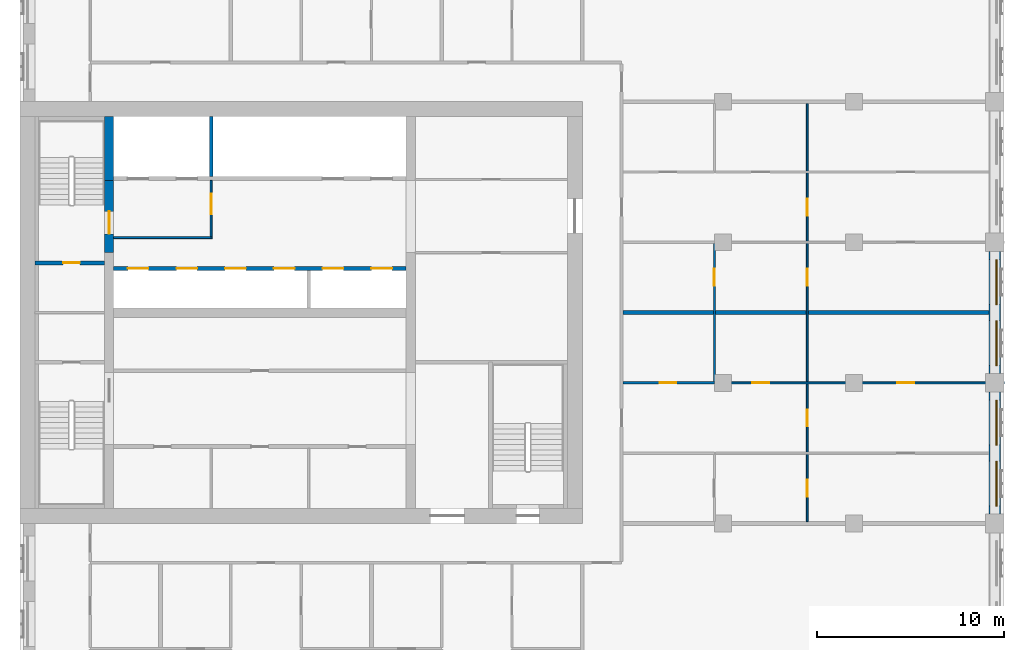
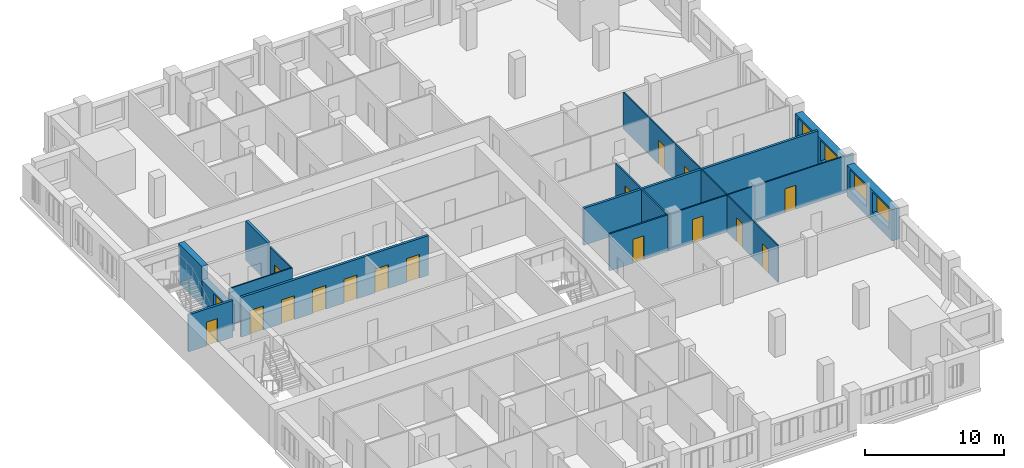
# One storey, part 9 of 14: 17 doors, 14 walls, 4 windows, 21 openings.
"""IFC4 building model written with IfcOpenShell, lengths in metres."""

from ifc_helpers import new_model, si_unit, direction, frame, frame_2d, origin, place, context, subcontext, project, spatial, rectangle, extrude, material, layer, layer_set, type_object, element, fill, save


model = new_model("IFC4")

# Units and contexts
model_context = context("Model", 3, precision=1e-05, world=origin(), true_north=direction((0.0, 1.0)))
body_context = subcontext(model_context, "Body", "Model", "MODEL_VIEW")
ifc_project = project(units=[si_unit("LENGTHUNIT", "METRE"), si_unit("AREAUNIT", "SQUARE_METRE"), si_unit("VOLUMEUNIT", "CUBIC_METRE"), si_unit("PLANEANGLEUNIT", "RADIAN"), si_unit("MASSUNIT", "GRAM", prefix="KILO")], contexts=[model_context])

# Site, building, storey
site_placement = place(None, origin())
site = spatial("IfcSite", under=ifc_project, at=site_placement, CompositionType="ELEMENT")
building_placement = place(site_placement, origin())
building = spatial("IfcBuilding", under=site, at=building_placement, Name="Tamorin Gate", CompositionType="ELEMENT")
storey_placement = place(building_placement, frame((0.0, 0.0, 179.199951171875)))
storey = spatial("IfcBuildingStorey", under=building, at=storey_placement, Name="L43", CompositionType="ELEMENT", Elevation=179.199951171875)

# Wall, openings, windows
ifc_material_1 = material(Name="Precast concrete C40/50", Category="concrete")
ifc_layer_1 = layer(ifc_material_1, 0.60009765625)
ifc_layer_set_1 = layer_set([ifc_layer_1], Name="Precast concrete C40/50")
wall_type_1 = type_object("IfcWallType", Name="Board-marked concrete facade panel 600", PredefinedType="SOLIDWALL", material=ifc_layer_set_1)
wall_1_placement = place(storey_placement, frame((82.0, 60.5, 0.0), z_axis=(0.0, 0.0, 1.0), x_axis=(0.0, 1.0, 0.0)))
wall_1 = element("IfcWall", 1, at=wall_1_placement, inside=storey, type_object=wall_type_1, Name="Facade panel", PredefinedType="SOLIDWALL", context=body_context, shape_type="SweptSolid", body=[
    extrude(rectangle(XDim=6.5, YDim=0.60009765625, at=frame_2d((3.25, 0.0))), origin(), (0.0, 0.0, 1.0), 2.75),
])
opening_1_placement = place(wall_1_placement, frame((0.425048828125, 0.0, 0.800048828125)))
opening_1 = element("IfcOpeningElement", 2, at=opening_1_placement, cuts=wall_1, Name="Opening WN1", PredefinedType="OPENING", context=body_context, shape_type="SweptSolid", body=[
    extrude(rectangle(XDim=2.39990234375, YDim=1.800048828125, at=frame_2d((1.199951171875, 0.89990234375))), frame((0.0, 0.31005859375, 0.0), z_axis=(0.0, -1.0, 0.0), x_axis=(1.0, 0.0, 0.0)), (0.0, 0.0, 1.0), 0.6201171875),
])
opening_2_placement = place(wall_1_placement, frame((3.675048828125, 0.0, 0.800048828125)))
opening_2 = element("IfcOpeningElement", 3, at=opening_2_placement, cuts=wall_1, Name="Opening WN1", PredefinedType="OPENING", context=body_context, shape_type="SweptSolid", body=[
    extrude(rectangle(XDim=2.39990234375, YDim=1.800048828125, at=frame_2d((1.199951171875, 0.89990234375))), frame((0.0, 0.31005859375, 0.0), z_axis=(0.0, -1.0, 0.0), x_axis=(1.0, 0.0, 0.0)), (0.0, 0.0, 1.0), 0.6201171875),
])
ifc_material_2 = material(Name="Clear glass in aluminium frame", Category="aluminium")
window_type = type_object("IfcWindowType", Name="Deep-set window 2400x1800", PartitioningType="SINGLE_PANEL", PredefinedType="WINDOW", material=ifc_material_2)
window_1_placement = place(opening_1_placement, origin())
window_1 = element("IfcWindow", 4, at=window_1_placement, inside=storey, type_object=window_type, Name="Deep-set window", OverallHeight=1.800048828125, OverallWidth=2.39990234375, PartitioningType="SINGLE_PANEL", PredefinedType="WINDOW", context=body_context, shape_type="SweptSolid", body=[
    extrude(rectangle(XDim=2.39990234375, YDim=1.800048828125, at=frame_2d((1.199951171875, 0.89990234375))), frame((0.0, -0.070068359375, 0.0), z_axis=(0.0, -1.0, 0.0), x_axis=(1.0, 0.0, 0.0)), (0.0, 0.0, 1.0), 0.06005859375),
])
fill(opening_1, window_1)
window_2_placement = place(opening_2_placement, origin())
window_2 = element("IfcWindow", 5, at=window_2_placement, inside=storey, type_object=window_type, Name="Deep-set window", OverallHeight=1.800048828125, OverallWidth=2.39990234375, PartitioningType="SINGLE_PANEL", PredefinedType="WINDOW", context=body_context, shape_type="SweptSolid", body=[
    extrude(rectangle(XDim=2.39990234375, YDim=1.800048828125, at=frame_2d((1.199951171875, 0.89990234375))), frame((0.0, -0.070068359375, 0.0), z_axis=(0.0, -1.0, 0.0), x_axis=(1.0, 0.0, 0.0)), (0.0, 0.0, 1.0), 0.06005859375),
])
fill(opening_2, window_2)

wall_2_placement = place(storey_placement, frame((82.0, 68.0, 0.0), z_axis=(0.0, 0.0, 1.0), x_axis=(0.0, 1.0, 0.0)))
wall_2 = element("IfcWall", 6, at=wall_2_placement, inside=storey, type_object=wall_type_1, Name="Facade panel", PredefinedType="SOLIDWALL", context=body_context, shape_type="SweptSolid", body=[
    extrude(rectangle(XDim=6.5, YDim=0.60009765625, at=frame_2d((3.25, 0.0))), origin(), (0.0, 0.0, 1.0), 2.75),
])
opening_3_placement = place(wall_2_placement, frame((0.425048828125, 0.0, 0.800048828125)))
opening_3 = element("IfcOpeningElement", 7, at=opening_3_placement, cuts=wall_2, Name="Opening WN1", PredefinedType="OPENING", context=body_context, shape_type="SweptSolid", body=[
    extrude(rectangle(XDim=2.39990234375, YDim=1.800048828125, at=frame_2d((1.199951171875, 0.89990234375))), frame((0.0, 0.31005859375, 0.0), z_axis=(0.0, -1.0, 0.0), x_axis=(1.0, 0.0, 0.0)), (0.0, 0.0, 1.0), 0.6201171875),
])
opening_4_placement = place(wall_2_placement, frame((3.675048828125, 0.0, 0.800048828125)))
opening_4 = element("IfcOpeningElement", 8, at=opening_4_placement, cuts=wall_2, Name="Opening WN1", PredefinedType="OPENING", context=body_context, shape_type="SweptSolid", body=[
    extrude(rectangle(XDim=2.39990234375, YDim=1.800048828125, at=frame_2d((1.199951171875, 0.89990234375))), frame((0.0, 0.31005859375, 0.0), z_axis=(0.0, -1.0, 0.0), x_axis=(1.0, 0.0, 0.0)), (0.0, 0.0, 1.0), 0.6201171875),
])
window_3_placement = place(opening_3_placement, origin())
window_3 = element("IfcWindow", 9, at=window_3_placement, inside=storey, type_object=window_type, Name="Deep-set window", OverallHeight=1.800048828125, OverallWidth=2.39990234375, PartitioningType="SINGLE_PANEL", PredefinedType="WINDOW", context=body_context, shape_type="SweptSolid", body=[
    extrude(rectangle(XDim=2.39990234375, YDim=1.800048828125, at=frame_2d((1.199951171875, 0.89990234375))), frame((0.0, -0.070068359375, 0.0), z_axis=(0.0, -1.0, 0.0), x_axis=(1.0, 0.0, 0.0)), (0.0, 0.0, 1.0), 0.06005859375),
])
fill(opening_3, window_3)
window_4_placement = place(opening_4_placement, origin())
window_4 = element("IfcWindow", 10, at=window_4_placement, inside=storey, type_object=window_type, Name="Deep-set window", OverallHeight=1.800048828125, OverallWidth=2.39990234375, PartitioningType="SINGLE_PANEL", PredefinedType="WINDOW", context=body_context, shape_type="SweptSolid", body=[
    extrude(rectangle(XDim=2.39990234375, YDim=1.800048828125, at=frame_2d((1.199951171875, 0.89990234375))), frame((0.0, -0.070068359375, 0.0), z_axis=(0.0, -1.0, 0.0), x_axis=(1.0, 0.0, 0.0)), (0.0, 0.0, 1.0), 0.06005859375),
])
fill(opening_4, window_4)

# Wall
ifc_material_3 = material(Name="Gypsum board partition")
ifc_layer_2 = layer(ifc_material_3, 0.199951171875)
ifc_layer_set_2 = layer_set([ifc_layer_2], Name="Demising wall 200")
wall_type_2 = type_object("IfcWallType", Name="Demising wall 200", PredefinedType="PARTITIONING", material=ifc_layer_set_2)
wall_3_placement = place(storey_placement, frame((62.175048828125, 71.25, 0.0), z_axis=(0.0, 0.0, 1.0), x_axis=(1.0, 0.0, 0.0)))
element("IfcWall", 11, at=wall_3_placement, inside=storey, type_object=wall_type_2, Name="Demising wall 200", PredefinedType="PARTITIONING", context=body_context, shape_type="SweptSolid", body=[
    extrude(rectangle(XDim=19.514892578125, YDim=0.199951171875, at=frame_2d((9.75732421875, 0.0))), origin(), (0.0, 0.0, 1.0), 3.25),
])

# Wall, openings, doors
ifc_material_4 = material(Name="Concrete C32/40", Category="concrete")
ifc_layer_3 = layer(ifc_material_4, 0.199951171875)
ifc_layer_set_3 = layer_set([ifc_layer_3], Name="Lift lobby face wall 200 EI 120")
wall_type_3 = type_object("IfcWallType", Name="Lift lobby face wall 200 EI 120", PredefinedType="SOLIDWALL", material=ifc_layer_set_3)
wall_4_placement = place(storey_placement, frame((35.0, 73.60009765625, 0.0), z_axis=(0.0, 0.0, 1.0), x_axis=(1.0, 0.0, 0.0)))
wall_4 = element("IfcWall", 12, at=wall_4_placement, inside=storey, type_object=wall_type_3, Name="Lift lobby face wall", PredefinedType="SOLIDWALL", context=body_context, shape_type="SweptSolid", body=[
    extrude(rectangle(XDim=15.60009765625, YDim=0.199951171875, at=frame_2d((7.800048828125, 0.0))), origin(), (0.0, 0.0, 1.0), 3.5),
])
opening_5_placement = place(wall_4_placement, frame((0.75, 0.0, 0.0)))
opening_5 = element("IfcOpeningElement", 13, at=opening_5_placement, cuts=wall_4, Name="Opening LD11", PredefinedType="OPENING", context=body_context, shape_type="SweptSolid", body=[
    extrude(rectangle(XDim=1.10009765625, YDim=2.10009765625, at=frame_2d((0.550048828125, 1.050048828125))), frame((0.0, 0.10986328125, 0.0), z_axis=(0.0, -1.0, 0.0), x_axis=(1.0, 0.0, 0.0)), (0.0, 0.0, 1.0), 0.219970703125),
])
opening_6_placement = place(wall_4_placement, frame((3.35009765625, 0.0, 0.0)))
opening_6 = element("IfcOpeningElement", 14, at=opening_6_placement, cuts=wall_4, Name="Opening LD12", PredefinedType="OPENING", context=body_context, shape_type="SweptSolid", body=[
    extrude(rectangle(XDim=1.10009765625, YDim=2.10009765625, at=frame_2d((0.550048828125, 1.050048828125))), frame((0.0, 0.10986328125, 0.0), z_axis=(0.0, -1.0, 0.0), x_axis=(1.0, 0.0, 0.0)), (0.0, 0.0, 1.0), 0.219970703125),
])
opening_7_placement = place(wall_4_placement, frame((5.949951171875, 0.0, 0.0)))
opening_7 = element("IfcOpeningElement", 15, at=opening_7_placement, cuts=wall_4, Name="Opening LD13", PredefinedType="OPENING", context=body_context, shape_type="SweptSolid", body=[
    extrude(rectangle(XDim=1.10009765625, YDim=2.10009765625, at=frame_2d((0.550048828125, 1.050048828125))), frame((0.0, 0.10986328125, 0.0), z_axis=(0.0, -1.0, 0.0), x_axis=(1.0, 0.0, 0.0)), (0.0, 0.0, 1.0), 0.219970703125),
])
opening_8_placement = place(wall_4_placement, frame((8.550048828125, 0.0, 0.0)))
opening_8 = element("IfcOpeningElement", 16, at=opening_8_placement, cuts=wall_4, Name="Opening LD14", PredefinedType="OPENING", context=body_context, shape_type="SweptSolid", body=[
    extrude(rectangle(XDim=1.10009765625, YDim=2.10009765625, at=frame_2d((0.550048828125, 1.050048828125))), frame((0.0, 0.10986328125, 0.0), z_axis=(0.0, -1.0, 0.0), x_axis=(1.0, 0.0, 0.0)), (0.0, 0.0, 1.0), 0.219970703125),
])
opening_9_placement = place(wall_4_placement, frame((11.14990234375, 0.0, 0.0)))
opening_9 = element("IfcOpeningElement", 17, at=opening_9_placement, cuts=wall_4, Name="Opening LD15", PredefinedType="OPENING", context=body_context, shape_type="SweptSolid", body=[
    extrude(rectangle(XDim=1.10009765625, YDim=2.10009765625, at=frame_2d((0.550048828125, 1.050048828125))), frame((0.0, 0.10986328125, 0.0), z_axis=(0.0, -1.0, 0.0), x_axis=(1.0, 0.0, 0.0)), (0.0, 0.0, 1.0), 0.219970703125),
])
opening_10_placement = place(wall_4_placement, frame((13.75, 0.0, 0.0)))
opening_10 = element("IfcOpeningElement", 18, at=opening_10_placement, cuts=wall_4, Name="Opening LD16", PredefinedType="OPENING", context=body_context, shape_type="SweptSolid", body=[
    extrude(rectangle(XDim=1.10009765625, YDim=2.10009765625, at=frame_2d((0.550048828125, 1.050048828125))), frame((0.0, 0.10986328125, 0.0), z_axis=(0.0, -1.0, 0.0), x_axis=(1.0, 0.0, 0.0)), (0.0, 0.0, 1.0), 0.219970703125),
])
ifc_material_5 = material(Name="Stainless steel sliding door", Category="steel")
door_type_1 = type_object("IfcDoorType", Name="Lift landing door 1100 x 2100 E 90", OperationType="DOUBLE_DOOR_SLIDING", PredefinedType="DOOR", material=ifc_material_5)
door_1_placement = place(opening_5_placement, origin())
door_1 = element("IfcDoor", 19, at=door_1_placement, inside=storey, type_object=door_type_1, Name="HR1 landing door", OperationType="DOUBLE_DOOR_SLIDING", OverallHeight=2.10009765625, OverallWidth=1.10009765625, PredefinedType="DOOR", context=body_context, shape_type="SweptSolid", body=[
    extrude(rectangle(XDim=1.10009765625, YDim=2.10009765625, at=frame_2d((0.550048828125, 1.050048828125))), frame((0.0, 0.02490234375, 0.0), z_axis=(0.0, -1.0, 0.0), x_axis=(1.0, 0.0, 0.0)), (0.0, 0.0, 1.0), 0.050048828125),
])
fill(opening_5, door_1)
door_2_placement = place(opening_6_placement, origin())
door_2 = element("IfcDoor", 20, at=door_2_placement, inside=storey, type_object=door_type_1, Name="HR2 landing door", OperationType="DOUBLE_DOOR_SLIDING", OverallHeight=2.10009765625, OverallWidth=1.10009765625, PredefinedType="DOOR", context=body_context, shape_type="SweptSolid", body=[
    extrude(rectangle(XDim=1.10009765625, YDim=2.10009765625, at=frame_2d((0.550048828125, 1.050048828125))), frame((0.0, 0.02490234375, 0.0), z_axis=(0.0, -1.0, 0.0), x_axis=(1.0, 0.0, 0.0)), (0.0, 0.0, 1.0), 0.050048828125),
])
fill(opening_6, door_2)
door_3_placement = place(opening_7_placement, origin())
door_3 = element("IfcDoor", 21, at=door_3_placement, inside=storey, type_object=door_type_1, Name="HR3 landing door", OperationType="DOUBLE_DOOR_SLIDING", OverallHeight=2.10009765625, OverallWidth=1.10009765625, PredefinedType="DOOR", context=body_context, shape_type="SweptSolid", body=[
    extrude(rectangle(XDim=1.10009765625, YDim=2.10009765625, at=frame_2d((0.550048828125, 1.050048828125))), frame((0.0, 0.02490234375, 0.0), z_axis=(0.0, -1.0, 0.0), x_axis=(1.0, 0.0, 0.0)), (0.0, 0.0, 1.0), 0.050048828125),
])
fill(opening_7, door_3)
door_4_placement = place(opening_8_placement, origin())
door_4 = element("IfcDoor", 22, at=door_4_placement, inside=storey, type_object=door_type_1, Name="HR4 landing door", OperationType="DOUBLE_DOOR_SLIDING", OverallHeight=2.10009765625, OverallWidth=1.10009765625, PredefinedType="DOOR", context=body_context, shape_type="SweptSolid", body=[
    extrude(rectangle(XDim=1.10009765625, YDim=2.10009765625, at=frame_2d((0.550048828125, 1.050048828125))), frame((0.0, 0.02490234375, 0.0), z_axis=(0.0, -1.0, 0.0), x_axis=(1.0, 0.0, 0.0)), (0.0, 0.0, 1.0), 0.050048828125),
])
fill(opening_8, door_4)
door_5_placement = place(opening_9_placement, origin())
door_5 = element("IfcDoor", 23, at=door_5_placement, inside=storey, type_object=door_type_1, Name="HR5 landing door", OperationType="DOUBLE_DOOR_SLIDING", OverallHeight=2.10009765625, OverallWidth=1.10009765625, PredefinedType="DOOR", context=body_context, shape_type="SweptSolid", body=[
    extrude(rectangle(XDim=1.10009765625, YDim=2.10009765625, at=frame_2d((0.550048828125, 1.050048828125))), frame((0.0, 0.02490234375, 0.0), z_axis=(0.0, -1.0, 0.0), x_axis=(1.0, 0.0, 0.0)), (0.0, 0.0, 1.0), 0.050048828125),
])
fill(opening_9, door_5)
door_6_placement = place(opening_10_placement, origin())
door_6 = element("IfcDoor", 24, at=door_6_placement, inside=storey, type_object=door_type_1, Name="HR6 landing door", OperationType="DOUBLE_DOOR_SLIDING", OverallHeight=2.10009765625, OverallWidth=1.10009765625, PredefinedType="DOOR", context=body_context, shape_type="SweptSolid", body=[
    extrude(rectangle(XDim=1.10009765625, YDim=2.10009765625, at=frame_2d((0.550048828125, 1.050048828125))), frame((0.0, 0.02490234375, 0.0), z_axis=(0.0, -1.0, 0.0), x_axis=(1.0, 0.0, 0.0)), (0.0, 0.0, 1.0), 0.050048828125),
])
fill(opening_10, door_6)

# Walls
ifc_layer_4 = layer(ifc_material_4, 0.199951171875)
ifc_layer_set_4 = layer_set([ifc_layer_4], Name="Lift shaft wall 200 EI 120")
wall_type_4 = type_object("IfcWallType", Name="Lift shaft wall 200 EI 120", PredefinedType="SOLIDWALL", material=ifc_layer_set_4)
wall_5_placement = place(storey_placement, frame((40.199951171875, 78.5, 0.0), z_axis=(0.0, 0.0, 1.0), x_axis=(0.0, 1.0, 0.0)))
element("IfcWall", 25, at=wall_5_placement, inside=storey, type_object=wall_type_4, Name="Lift shaft wall", PredefinedType="SOLIDWALL", context=body_context, shape_type="SweptSolid", body=[
    extrude(rectangle(XDim=3.199951171875, YDim=0.199951171875, at=frame_2d((1.60009765625, 0.0))), origin(), (0.0, 0.0, 1.0), 3.5),
])
ifc_material_6 = material(Name="Fire-rated gypsum board partition")
ifc_layer_5 = layer(ifc_material_6, 0.10009765625)
ifc_layer_set_5 = layer_set([ifc_layer_5], Name="Lobby wall 100 EI 60")
wall_type_5 = type_object("IfcWallType", Name="Lobby wall 100 EI 60", PredefinedType="PARTITIONING", material=ifc_layer_set_5)
wall_6_placement = place(storey_placement, frame((35.0, 75.25, 0.0), z_axis=(0.0, 0.0, 1.0), x_axis=(1.0, 0.0, 0.0)))
element("IfcWall", 26, at=wall_6_placement, inside=storey, type_object=wall_type_5, Name="Firefighting lobby wall", PredefinedType="PARTITIONING", context=body_context, shape_type="SweptSolid", body=[
    extrude(rectangle(XDim=5.25, YDim=0.10009765625, at=frame_2d((2.625, 0.0))), origin(), (0.0, 0.0, 1.0), 3.25),
])

# Wall, opening, door
wall_7_placement = place(storey_placement, frame((40.199951171875, 75.300048828125, 0.0), z_axis=(0.0, 0.0, 1.0), x_axis=(0.0, 1.0, 0.0)))
wall_7 = element("IfcWall", 27, at=wall_7_placement, inside=storey, type_object=wall_type_5, Name="Firefighting lobby wall", PredefinedType="PARTITIONING", context=body_context, shape_type="SweptSolid", body=[
    extrude(rectangle(XDim=3.0, YDim=0.10009765625, at=frame_2d((1.5, 0.0))), origin(), (0.0, 0.0, 1.0), 3.25),
])
opening_11_placement = place(wall_7_placement, frame((1.199951171875, 0.0, 0.0)))
opening_11 = element("IfcOpeningElement", 28, at=opening_11_placement, cuts=wall_7, Name="Opening DF1", PredefinedType="OPENING", context=body_context, shape_type="SweptSolid", body=[
    extrude(rectangle(XDim=1.10009765625, YDim=2.10009765625, at=frame_2d((0.550048828125, 1.050048828125))), frame((0.0, 0.06005859375, 0.0), z_axis=(0.0, -1.0, 0.0), x_axis=(1.0, 0.0, 0.0)), (0.0, 0.0, 1.0), 0.1201171875),
])
ifc_material_7 = material(Name="Steel fire door", Category="steel")
door_type_2 = type_object("IfcDoorType", Name="Firefighting lobby door 1100 x 2100 EI 90", OperationType="SINGLE_SWING_LEFT", PredefinedType="DOOR", material=ifc_material_7)
door_7_placement = place(opening_11_placement, origin())
door_7 = element("IfcDoor", 29, at=door_7_placement, inside=storey, type_object=door_type_2, Name="Firefighting lobby door", OperationType="SINGLE_SWING_LEFT", OverallHeight=2.10009765625, OverallWidth=1.10009765625, PredefinedType="DOOR", context=body_context, shape_type="SweptSolid", body=[
    extrude(rectangle(XDim=1.10009765625, YDim=2.10009765625, at=frame_2d((0.550048828125, 1.050048828125))), frame((0.0, 0.02490234375, 0.0), z_axis=(0.0, -1.0, 0.0), x_axis=(1.0, 0.0, 0.0)), (0.0, 0.0, 1.0), 0.050048828125),
])
fill(opening_11, door_7)

# Wall
ifc_material_8 = material(Name="Concrete C60/75", Category="concrete")
ifc_layer_6 = layer(ifc_material_8, 0.5)
ifc_layer_set_6 = layer_set([ifc_layer_6], Name="RC core internal wall 500 C60/75")
wall_type_6 = type_object("IfcWallType", Name="RC core internal wall 500 C60/75", PredefinedType="SHEAR", material=ifc_layer_set_6)
wall_8_placement = place(storey_placement, frame((34.75, 78.300048828125, 0.0), z_axis=(0.0, 0.0, 1.0), x_axis=(0.0, 1.0, 0.0)))
element("IfcWall", 30, at=wall_8_placement, inside=storey, type_object=wall_type_6, Name="Core cross wall L43", PredefinedType="SHEAR", context=body_context, shape_type="SweptSolid", body=[
    extrude(rectangle(XDim=3.39990234375, YDim=0.5, at=frame_2d((1.699951171875, 0.0))), origin(), (0.0, 0.0, 1.0), 3.5),
])

# Wall, openings, doors
ifc_layer_7 = layer(ifc_material_3, 0.10009765625)
ifc_layer_set_7 = layer_set([ifc_layer_7], Name="Room partition 100")
wall_type_7 = type_object("IfcWallType", Name="Room partition 100", PredefinedType="PARTITIONING", material=ifc_layer_set_7)
wall_9_placement = place(storey_placement, frame((67.112548828125, 67.5, 0.0), z_axis=(0.0, 0.0, 1.0), x_axis=(1.0, 0.0, 0.0)))
wall_9 = element("IfcWall", 31, at=wall_9_placement, inside=storey, type_object=wall_type_7, Name="Room partition 100", PredefinedType="PARTITIONING", context=body_context, shape_type="SweptSolid", body=[
    extrude(rectangle(XDim=15.387451171875, YDim=0.10009765625, at=frame_2d((7.69384765625, 0.0))), origin(), (0.0, 0.0, 1.0), 3.25),
])
opening_12_placement = place(wall_9_placement, frame((1.96240234375, 0.0, 0.0)))
opening_12 = element("IfcOpeningElement", 32, at=opening_12_placement, cuts=wall_9, Name="Opening DR1041", PredefinedType="OPENING", context=body_context, shape_type="SweptSolid", body=[
    extrude(rectangle(XDim=0.89990234375, YDim=2.10009765625, at=frame_2d((0.449951171875, 1.050048828125))), frame((0.0, 0.06005859375, 0.0), z_axis=(0.0, -1.0, 0.0), x_axis=(1.0, 0.0, 0.0)), (0.0, 0.0, 1.0), 0.1201171875),
])
opening_13_placement = place(wall_9_placement, frame((9.6875, 0.0, 0.0)))
opening_13 = element("IfcOpeningElement", 33, at=opening_13_placement, cuts=wall_9, Name="Opening DR1044", PredefinedType="OPENING", context=body_context, shape_type="SweptSolid", body=[
    extrude(rectangle(XDim=0.89990234375, YDim=2.10009765625, at=frame_2d((0.449951171875, 1.050048828125))), frame((0.0, 0.06005859375, 0.0), z_axis=(0.0, -1.0, 0.0), x_axis=(1.0, 0.0, 0.0)), (0.0, 0.0, 1.0), 0.1201171875),
])
ifc_material_9 = material(Name="Timber door leaf", Category="wood")
door_type_3 = type_object("IfcDoorType", Name="Door 900 x 2100", OperationType="NOTDEFINED", PredefinedType="DOOR", material=ifc_material_9)
door_8_placement = place(opening_12_placement, origin())
door_8 = element("IfcDoor", 34, at=door_8_placement, inside=storey, type_object=door_type_3, Name="Door DR1041", OperationType="SINGLE_SWING_LEFT", OverallHeight=2.10009765625, OverallWidth=0.89990234375, PredefinedType="DOOR", context=body_context, shape_type="SweptSolid", body=[
    extrude(rectangle(XDim=0.89990234375, YDim=2.10009765625, at=frame_2d((0.449951171875, 1.050048828125))), frame((0.0, 0.02490234375, 0.0), z_axis=(0.0, -1.0, 0.0), x_axis=(1.0, 0.0, 0.0)), (0.0, 0.0, 1.0), 0.050048828125),
])
fill(opening_12, door_8)
door_9_placement = place(opening_13_placement, origin())
door_9 = element("IfcDoor", 35, at=door_9_placement, inside=storey, type_object=door_type_3, Name="Door DR1044", OperationType="SINGLE_SWING_RIGHT", OverallHeight=2.10009765625, OverallWidth=0.89990234375, PredefinedType="DOOR", context=body_context, shape_type="SweptSolid", body=[
    extrude(rectangle(XDim=0.89990234375, YDim=2.10009765625, at=frame_2d((0.449951171875, 1.050048828125))), frame((0.0, 0.02490234375, 0.0), z_axis=(0.0, -1.0, 0.0), x_axis=(1.0, 0.0, 0.0)), (0.0, 0.0, 1.0), 0.050048828125),
])
fill(opening_13, door_9)

wall_10_placement = place(storey_placement, frame((72.0, 60.10009765625, 0.0), z_axis=(0.0, 0.0, 1.0), x_axis=(0.0, 1.0, 0.0)))
wall_10 = element("IfcWall", 36, at=wall_10_placement, inside=storey, type_object=wall_type_7, Name="Room partition 100", PredefinedType="PARTITIONING", context=body_context, shape_type="SweptSolid", body=[
    extrude(rectangle(XDim=22.2998046875, YDim=0.10009765625, at=frame_2d((11.14990234375, 0.0))), origin(), (0.0, 0.0, 1.0), 3.25),
])
opening_14_placement = place(wall_10_placement, frame((1.324951171875, 0.0, 0.0)))
opening_14 = element("IfcOpeningElement", 37, at=opening_14_placement, cuts=wall_10, Name="Opening DR1037", PredefinedType="OPENING", context=body_context, shape_type="SweptSolid", body=[
    extrude(rectangle(XDim=0.89990234375, YDim=2.10009765625, at=frame_2d((0.449951171875, 1.050048828125))), frame((0.0, 0.06005859375, 0.0), z_axis=(0.0, -1.0, 0.0), x_axis=(1.0, 0.0, 0.0)), (0.0, 0.0, 1.0), 0.1201171875),
])
opening_15_placement = place(wall_10_placement, frame((5.074951171875, 0.0, 0.0)))
opening_15 = element("IfcOpeningElement", 38, at=opening_15_placement, cuts=wall_10, Name="Opening DR1040", PredefinedType="OPENING", context=body_context, shape_type="SweptSolid", body=[
    extrude(rectangle(XDim=0.89990234375, YDim=2.10009765625, at=frame_2d((0.449951171875, 1.050048828125))), frame((0.0, 0.06005859375, 0.0), z_axis=(0.0, -1.0, 0.0), x_axis=(1.0, 0.0, 0.0)), (0.0, 0.0, 1.0), 0.1201171875),
])
opening_16_placement = place(wall_10_placement, frame((12.574951171875, 0.0, 0.0)))
opening_16 = element("IfcOpeningElement", 39, at=opening_16_placement, cuts=wall_10, Name="Opening DR1045", PredefinedType="OPENING", context=body_context, shape_type="SweptSolid", body=[
    extrude(rectangle(XDim=0.89990234375, YDim=2.10009765625, at=frame_2d((0.449951171875, 1.050048828125))), frame((0.0, 0.06005859375, 0.0), z_axis=(0.0, -1.0, 0.0), x_axis=(1.0, 0.0, 0.0)), (0.0, 0.0, 1.0), 0.1201171875),
])
opening_17_placement = place(wall_10_placement, frame((16.324951171875, 0.0, 0.0)))
opening_17 = element("IfcOpeningElement", 40, at=opening_17_placement, cuts=wall_10, Name="Opening DR1048", PredefinedType="OPENING", context=body_context, shape_type="SweptSolid", body=[
    extrude(rectangle(XDim=0.89990234375, YDim=2.10009765625, at=frame_2d((0.449951171875, 1.050048828125))), frame((0.0, 0.06005859375, 0.0), z_axis=(0.0, -1.0, 0.0), x_axis=(1.0, 0.0, 0.0)), (0.0, 0.0, 1.0), 0.1201171875),
])
door_10_placement = place(opening_14_placement, origin())
door_10 = element("IfcDoor", 41, at=door_10_placement, inside=storey, type_object=door_type_3, Name="Door DR1037", OperationType="SINGLE_SWING_LEFT", OverallHeight=2.10009765625, OverallWidth=0.89990234375, PredefinedType="DOOR", context=body_context, shape_type="SweptSolid", body=[
    extrude(rectangle(XDim=0.89990234375, YDim=2.10009765625, at=frame_2d((0.449951171875, 1.050048828125))), frame((0.0, 0.02490234375, 0.0), z_axis=(0.0, -1.0, 0.0), x_axis=(1.0, 0.0, 0.0)), (0.0, 0.0, 1.0), 0.050048828125),
])
fill(opening_14, door_10)
door_11_placement = place(opening_15_placement, origin())
door_11 = element("IfcDoor", 42, at=door_11_placement, inside=storey, type_object=door_type_3, Name="Door DR1040", OperationType="SINGLE_SWING_LEFT", OverallHeight=2.10009765625, OverallWidth=0.89990234375, PredefinedType="DOOR", context=body_context, shape_type="SweptSolid", body=[
    extrude(rectangle(XDim=0.89990234375, YDim=2.10009765625, at=frame_2d((0.449951171875, 1.050048828125))), frame((0.0, 0.02490234375, 0.0), z_axis=(0.0, -1.0, 0.0), x_axis=(1.0, 0.0, 0.0)), (0.0, 0.0, 1.0), 0.050048828125),
])
fill(opening_15, door_11)
door_12_placement = place(opening_16_placement, origin())
door_12 = element("IfcDoor", 43, at=door_12_placement, inside=storey, type_object=door_type_3, Name="Door DR1045", OperationType="SINGLE_SWING_LEFT", OverallHeight=2.10009765625, OverallWidth=0.89990234375, PredefinedType="DOOR", context=body_context, shape_type="SweptSolid", body=[
    extrude(rectangle(XDim=0.89990234375, YDim=2.10009765625, at=frame_2d((0.449951171875, 1.050048828125))), frame((0.0, 0.02490234375, 0.0), z_axis=(0.0, -1.0, 0.0), x_axis=(1.0, 0.0, 0.0)), (0.0, 0.0, 1.0), 0.050048828125),
])
fill(opening_16, door_12)
door_13_placement = place(opening_17_placement, origin())
door_13 = element("IfcDoor", 44, at=door_13_placement, inside=storey, type_object=door_type_3, Name="Door DR1048", OperationType="SINGLE_SWING_LEFT", OverallHeight=2.10009765625, OverallWidth=0.89990234375, PredefinedType="DOOR", context=body_context, shape_type="SweptSolid", body=[
    extrude(rectangle(XDim=0.89990234375, YDim=2.10009765625, at=frame_2d((0.449951171875, 1.050048828125))), frame((0.0, 0.02490234375, 0.0), z_axis=(0.0, -1.0, 0.0), x_axis=(1.0, 0.0, 0.0)), (0.0, 0.0, 1.0), 0.050048828125),
])
fill(opening_17, door_13)

# Wall, opening, door
ifc_material_10 = material(Name="Concrete C40/50", Category="concrete")
ifc_layer_8 = layer(ifc_material_10, 0.199951171875)
ifc_layer_set_8 = layer_set([ifc_layer_8], Name="Stair enclosure wall 200 EI 120 C40/50")
wall_type_8 = type_object("IfcWallType", Name="Stair enclosure wall 200 EI 120 C40/50", PredefinedType="SOLIDWALL", material=ifc_layer_set_8)
wall_11_placement = place(storey_placement, frame((30.800048828125, 73.89990234375, 0.0), z_axis=(0.0, 0.0, 1.0), x_axis=(1.0, 0.0, 0.0)))
wall_11 = element("IfcWall", 45, at=wall_11_placement, inside=storey, type_object=wall_type_8, Name="Stair enclosure wall", PredefinedType="SOLIDWALL", context=body_context, shape_type="SweptSolid", body=[
    extrude(rectangle(XDim=3.699951171875, YDim=0.199951171875, at=frame_2d((1.85009765625, 0.0))), origin(), (0.0, 0.0, 1.0), 3.25),
])
opening_18_placement = place(wall_11_placement, frame((1.5, 0.0, 0.0)))
opening_18 = element("IfcOpeningElement", 46, at=opening_18_placement, cuts=wall_11, Name="Opening DR1", PredefinedType="OPENING", context=body_context, shape_type="SweptSolid", body=[
    extrude(rectangle(XDim=0.89990234375, YDim=2.10009765625, at=frame_2d((0.449951171875, 1.050048828125))), frame((0.0, 0.10986328125, 0.0), z_axis=(0.0, -1.0, 0.0), x_axis=(1.0, 0.0, 0.0)), (0.0, 0.0, 1.0), 0.219970703125),
])
door_type_4 = type_object("IfcDoorType", Name="Riser access door 900 x 2100 EI 120", OperationType="SINGLE_SWING_LEFT", PredefinedType="DOOR", material=ifc_material_7)
door_14_placement = place(opening_18_placement, origin())
door_14 = element("IfcDoor", 47, at=door_14_placement, inside=storey, type_object=door_type_4, Name="Communications riser door", OperationType="SINGLE_SWING_RIGHT", OverallHeight=2.10009765625, OverallWidth=0.89990234375, PredefinedType="DOOR", context=body_context, shape_type="SweptSolid", body=[
    extrude(rectangle(XDim=0.89990234375, YDim=2.10009765625, at=frame_2d((0.449951171875, 1.050048828125))), frame((0.0, 0.02490234375, 0.0), z_axis=(0.0, -1.0, 0.0), x_axis=(1.0, 0.0, 0.0)), (0.0, 0.0, 1.0), 0.050048828125),
])
fill(opening_18, door_14)

ifc_layer_9 = layer(ifc_material_4, 0.5)
ifc_layer_set_9 = layer_set([ifc_layer_9], Name="Stair lobby infill wall 500 EI 120")
wall_type_9 = type_object("IfcWallType", Name="Stair lobby infill wall 500 EI 120", PredefinedType="SOLIDWALL", material=ifc_layer_set_9)
wall_12_placement = place(storey_placement, frame((34.75, 74.449951171875, 0.0), z_axis=(0.0, 0.0, 1.0), x_axis=(0.0, 1.0, 0.0)))
wall_12 = element("IfcWall", 48, at=wall_12_placement, inside=storey, type_object=wall_type_9, Name="Stair lobby infill wall", PredefinedType="SOLIDWALL", context=body_context, shape_type="SweptSolid", body=[
    extrude(rectangle(XDim=3.85009765625, YDim=0.5, at=frame_2d((1.925048828125, 0.0))), origin(), (0.0, 0.0, 1.0), 2.300048828125),
])
opening_19_placement = place(wall_12_placement, frame((1.0, 0.0, 0.0)))
opening_19 = element("IfcOpeningElement", 49, at=opening_19_placement, cuts=wall_12, Name="Opening DS1", PredefinedType="OPENING", context=body_context, shape_type="SweptSolid", body=[
    extrude(rectangle(XDim=1.199951171875, YDim=2.10009765625, at=frame_2d((0.60009765625, 1.050048828125))), frame((0.0, 0.260009765625, 0.0), z_axis=(0.0, -1.0, 0.0), x_axis=(1.0, 0.0, 0.0)), (0.0, 0.0, 1.0), 0.52001953125),
])
door_type_5 = type_object("IfcDoorType", Name="Stair door 1200 x 2100 EI 90", OperationType="SINGLE_SWING_LEFT", PredefinedType="DOOR", material=ifc_material_7)
door_15_placement = place(opening_19_placement, origin())
door_15 = element("IfcDoor", 50, at=door_15_placement, inside=storey, type_object=door_type_5, Name="ST2 door", OperationType="SINGLE_SWING_RIGHT", OverallHeight=2.10009765625, OverallWidth=1.199951171875, PredefinedType="DOOR", context=body_context, shape_type="SweptSolid", body=[
    extrude(rectangle(XDim=1.199951171875, YDim=2.10009765625, at=frame_2d((0.60009765625, 1.050048828125))), frame((0.0, 0.02490234375, 0.0), z_axis=(0.0, -1.0, 0.0), x_axis=(1.0, 0.0, 0.0)), (0.0, 0.0, 1.0), 0.050048828125),
])
fill(opening_19, door_15)

ifc_layer_10 = layer(ifc_material_3, 0.125)
ifc_layer_set_10 = layer_set([ifc_layer_10], Name="Wet wall 125")
wall_type_10 = type_object("IfcWallType", Name="Wet wall 125", PredefinedType="PARTITIONING", material=ifc_layer_set_10)
wall_13_placement = place(storey_placement, frame((62.175048828125, 67.5, 0.0), z_axis=(0.0, 0.0, 1.0), x_axis=(1.0, 0.0, 0.0)))
wall_13 = element("IfcWall", 51, at=wall_13_placement, inside=storey, type_object=wall_type_10, Name="Wet wall 125", PredefinedType="PARTITIONING", context=body_context, shape_type="SweptSolid", body=[
    extrude(rectangle(XDim=4.875, YDim=0.125, at=frame_2d((2.4375, 0.0))), origin(), (0.0, 0.0, 1.0), 3.25),
])
opening_20_placement = place(wall_13_placement, frame((1.949951171875, 0.0, 0.0)))
opening_20 = element("IfcOpeningElement", 52, at=opening_20_placement, cuts=wall_13, Name="Opening DR1042", PredefinedType="OPENING", context=body_context, shape_type="SweptSolid", body=[
    extrude(rectangle(XDim=0.89990234375, YDim=2.10009765625, at=frame_2d((0.449951171875, 1.050048828125))), frame((0.0, 0.072509765625, 0.0), z_axis=(0.0, -1.0, 0.0), x_axis=(1.0, 0.0, 0.0)), (0.0, 0.0, 1.0), 0.14501953125),
])
door_16_placement = place(opening_20_placement, origin())
door_16 = element("IfcDoor", 53, at=door_16_placement, inside=storey, type_object=door_type_3, Name="Door DR1042", OperationType="SINGLE_SWING_RIGHT", OverallHeight=2.10009765625, OverallWidth=0.89990234375, PredefinedType="DOOR", context=body_context, shape_type="SweptSolid", body=[
    extrude(rectangle(XDim=0.89990234375, YDim=2.10009765625, at=frame_2d((0.449951171875, 1.050048828125))), frame((0.0, 0.02490234375, 0.0), z_axis=(0.0, -1.0, 0.0), x_axis=(1.0, 0.0, 0.0)), (0.0, 0.0, 1.0), 0.050048828125),
])
fill(opening_20, door_16)

wall_14_placement = place(storey_placement, frame((67.050048828125, 67.5625, 0.0), z_axis=(0.0, 0.0, 1.0), x_axis=(0.0, 1.0, 0.0)))
wall_14 = element("IfcWall", 54, at=wall_14_placement, inside=storey, type_object=wall_type_10, Name="Wet wall 125", PredefinedType="PARTITIONING", context=body_context, shape_type="SweptSolid", body=[
    extrude(rectangle(XDim=7.375, YDim=0.125, at=frame_2d((3.6875, 0.0))), origin(), (0.0, 0.0, 1.0), 3.25),
])
opening_21_placement = place(wall_14_placement, frame((5.112548828125, 0.0, 0.0)))
opening_21 = element("IfcOpeningElement", 55, at=opening_21_placement, cuts=wall_14, Name="Opening DR1046", PredefinedType="OPENING", context=body_context, shape_type="SweptSolid", body=[
    extrude(rectangle(XDim=0.89990234375, YDim=2.10009765625, at=frame_2d((0.449951171875, 1.050048828125))), frame((0.0, 0.072509765625, 0.0), z_axis=(0.0, -1.0, 0.0), x_axis=(1.0, 0.0, 0.0)), (0.0, 0.0, 1.0), 0.14501953125),
])
door_17_placement = place(opening_21_placement, origin())
door_17 = element("IfcDoor", 56, at=door_17_placement, inside=storey, type_object=door_type_3, Name="Door DR1046", OperationType="SINGLE_SWING_LEFT", OverallHeight=2.10009765625, OverallWidth=0.89990234375, PredefinedType="DOOR", context=body_context, shape_type="SweptSolid", body=[
    extrude(rectangle(XDim=0.89990234375, YDim=2.10009765625, at=frame_2d((0.449951171875, 1.050048828125))), frame((0.0, 0.02490234375, 0.0), z_axis=(0.0, -1.0, 0.0), x_axis=(1.0, 0.0, 0.0)), (0.0, 0.0, 1.0), 0.050048828125),
])
fill(opening_21, door_17)

save(model, "model.ifc")
